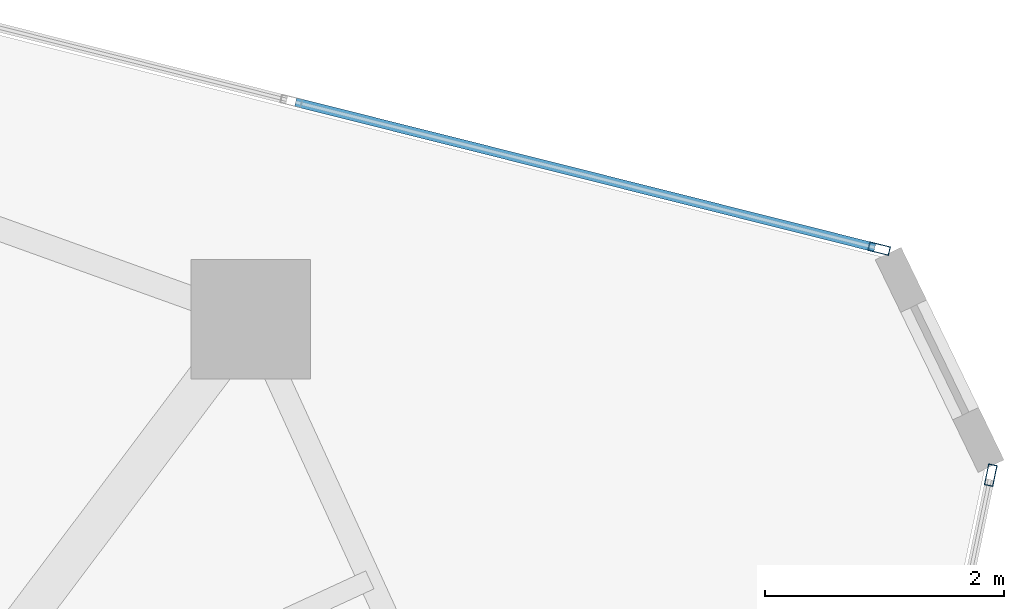
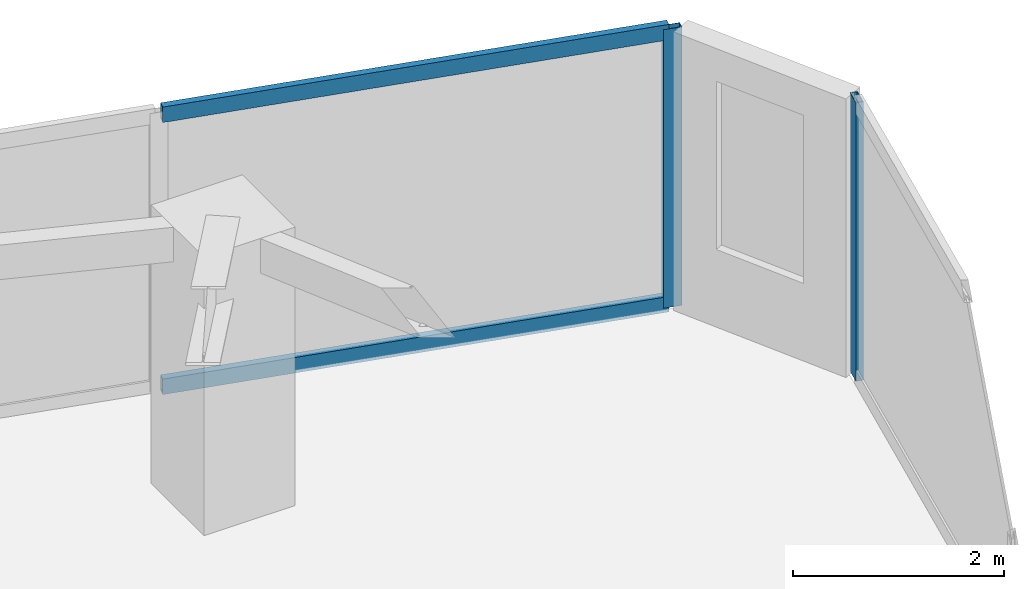
# One storey, part 14 of 20: 4 members, 2 elements without a shape of their own.
"""IFC4 building model written with IfcOpenShell, lengths in metres."""

import ifcopenshell
import ifcopenshell.guid

model = None  # the IFC model being written
_history = None  # IfcOwnerHistory: only IFC2X3 demands one
_inside = {}  # id of a spatial element -> (the spatial element, [elements in it])
_under = {}  # id of a project, library or spatial element -> (it, [spatial elements below it])
_declared = {}  # id of a project -> (the project, [libraries it declares])
_typed = {}  # id of a type object -> (the type object, [elements of that type])
_made_of = {}  # id of a material, layer set ... -> (it, [elements and type objects made of it])


def new_model(schema):
    """Start an empty IFC model of exactly this schema.

    Asked for "IFC4X3", IfcOpenShell would pick the latest addendum, in which some entities
    have other attributes; the version numbers below select the first issue.
    IFC2X3 requires an IfcOwnerHistory on every rooted entity: one is made here for all.
    """
    global model, _history
    if schema == "IFC4X3":
        model = ifcopenshell.file(schema_version=(4, 3, 0, 0))
    else:
        model = ifcopenshell.file(schema=schema)
    _inside.clear()
    _under.clear()
    _declared.clear()
    _typed.clear()
    _made_of.clear()
    _history = None
    if model.schema == "IFC2X3":
        org = make("IfcOrganization", Name="unknown")
        user = make(
            "IfcPersonAndOrganization",
            ThePerson=make("IfcPerson", FamilyName="unknown"),
            TheOrganization=org,
        )
        app = make(
            "IfcApplication",
            ApplicationDeveloper=org,
            Version="unknown",
            ApplicationFullName="unknown",
            ApplicationIdentifier="unknown",
        )
        _history = make(
            "IfcOwnerHistory",
            OwningUser=user,
            OwningApplication=app,
            ChangeAction="ADDED",
            CreationDate=0,
        )
    return model


def make(cls, **values):
    """One entity of the class cls with the attributes given. An attribute that is None is left unset."""
    return model.create_entity(
        cls, **{name: value for name, value in values.items() if value is not None}
    )


def rooted(cls, **values):
    """An entity with a GlobalId (a new one), such as an element, a storey or a relation."""
    return make(cls, GlobalId=ifcopenshell.guid.new(), OwnerHistory=_history, **values)


def si_unit(unit_type, name, prefix=None):
    """IfcSIUnit, for example si_unit("LENGTHUNIT", "METRE", prefix="MILLI")."""
    return make("IfcSIUnit", UnitType=unit_type, Prefix=prefix, Name=name)


def assignment(units):
    """IfcUnitAssignment: the units of a project."""
    return None if units is None else make("IfcUnitAssignment", Units=units)


def point(xyz):
    """IfcCartesianPoint."""
    return None if xyz is None else make("IfcCartesianPoint", Coordinates=xyz)


def direction(xyz):
    """IfcDirection."""
    return None if xyz is None else make("IfcDirection", DirectionRatios=xyz)


def frame(location, z_axis=None, x_axis=None):
    """IfcAxis2Placement3D, a coordinate frame: its origin and axes. An axis left out is left unset."""
    return make(
        "IfcAxis2Placement3D",
        Location=point(location),
        Axis=direction(z_axis),
        RefDirection=direction(x_axis),
    )


def frame_2d(location, x_axis=None):
    """IfcAxis2Placement2D, a coordinate frame in the plane: its origin and x axis."""
    return make(
        "IfcAxis2Placement2D", Location=point(location), RefDirection=direction(x_axis)
    )


def origin():
    """The frame at (0, 0, 0) with its axes left unset."""
    return frame((0.0, 0.0, 0.0))


def origin_2d():
    """The frame at (0, 0) in the plane with its x axis left unset."""
    return frame_2d((0.0, 0.0))


def place(relative_to, where):
    """IfcLocalPlacement: puts the frame where relative to a parent placement (None: the world)."""
    return make(
        "IfcLocalPlacement", PlacementRelTo=relative_to, RelativePlacement=where
    )


def context(
    kind, dimensions, precision=None, world=None, true_north=None, identifier=None
):
    """IfcGeometricRepresentationContext, for example the 3D "Model" context."""
    return make(
        "IfcGeometricRepresentationContext",
        ContextIdentifier=identifier,
        ContextType=kind,
        CoordinateSpaceDimension=dimensions,
        Precision=precision,
        WorldCoordinateSystem=world,
        TrueNorth=true_north,
    )


def subcontext(parent, identifier, kind, view, scale=None):
    """IfcGeometricRepresentationSubContext, for example "Body" below "Model"."""
    return make(
        "IfcGeometricRepresentationSubContext",
        ContextIdentifier=identifier,
        ContextType=kind,
        ParentContext=parent,
        TargetScale=scale,
        TargetView=view,
    )


def project(units=None, contexts=None):
    """IfcProject with its units and contexts."""
    return rooted(
        "IfcProject",
        Name="project",
        RepresentationContexts=contexts,
        UnitsInContext=assignment(units),
    )


def spatial(cls, under=None, at=None, **own):
    """A site, building, storey or space (cls), placed at a placement, below another one or the project."""
    s = rooted(cls, ObjectPlacement=at, **own)
    if under is not None:
        _under.setdefault(under.id(), (under, []))[1].append(s)
    return s


def profile(cls, at=None, kind="AREA", **sizes):
    """A parametric profile (cls). Its sizes go by their IFC names, for example OverallWidth=200.0."""
    return make(cls, ProfileType=kind, Position=at, **sizes)


def hollow_rectangle(**sizes):
    """IfcRectangleHollowProfileDef."""
    return profile("IfcRectangleHollowProfileDef", **sizes)


def extrude(swept, where, along, depth):
    """IfcExtrudedAreaSolid: the profile swept, set in the frame where, extruded along a direction by depth."""
    return make(
        "IfcExtrudedAreaSolid",
        SweptArea=swept,
        Position=where,
        ExtrudedDirection=direction(along),
        Depth=depth,
    )


def shape(context_of_items, identifier, shape_type, items):
    """IfcShapeRepresentation: the items that make up one representation, for example the "Body"."""
    return make(
        "IfcShapeRepresentation",
        ContextOfItems=context_of_items,
        RepresentationIdentifier=identifier,
        RepresentationType=shape_type,
        Items=items,
    )


def source(mapping_origin, context_of_items, identifier, shape_type, items):
    """IfcRepresentationMap: a shape defined once, which mapped items show again and again."""
    return make(
        "IfcRepresentationMap",
        MappingOrigin=mapping_origin,
        MappedRepresentation=shape(context_of_items, identifier, shape_type, items),
    )


def transform(
    local_origin,
    x_axis=None,
    y_axis=None,
    z_axis=None,
    scale=None,
    scale2=None,
    scale3=None,
    uniform=True,
):
    """IfcCartesianTransformationOperator3D, or its non-uniform kind. x_axis, y_axis, z_axis: its Axis1, 2, 3."""
    if uniform:
        return make(
            "IfcCartesianTransformationOperator3D",
            Axis1=direction(x_axis),
            Axis2=direction(y_axis),
            LocalOrigin=point(local_origin),
            Scale=scale,
            Axis3=direction(z_axis),
        )
    return make(
        "IfcCartesianTransformationOperator3DnonUniform",
        Axis1=direction(x_axis),
        Axis2=direction(y_axis),
        LocalOrigin=point(local_origin),
        Scale=scale,
        Axis3=direction(z_axis),
        Scale2=scale2,
        Scale3=scale3,
    )


def mapped(mapping_source, mapping_target):
    """IfcMappedItem: shows the shape of a source again, moved by a transform."""
    return make(
        "IfcMappedItem", MappingSource=mapping_source, MappingTarget=mapping_target
    )


def material(Name=None, Category=None):
    """IfcMaterial."""
    return make("IfcMaterial", Name=Name, Category=Category)


def layer(
    of_material, thickness, ventilated=None, Name=None, Category=None, Priority=None
):
    """IfcMaterialLayer: one layer of a wall or slab, of a material (None: an air gap)."""
    return make(
        "IfcMaterialLayer",
        Material=of_material,
        LayerThickness=thickness,
        IsVentilated=ventilated,
        Name=Name,
        Category=Category,
        Priority=Priority,
    )


def layer_set(layers, Name=None):
    """IfcMaterialLayerSet."""
    return make("IfcMaterialLayerSet", MaterialLayers=layers, LayerSetName=Name)


def material_profile(
    of_material, cross_section, Name=None, Category=None, Priority=None
):
    """IfcMaterialProfile: a cross section and its material."""
    return make(
        "IfcMaterialProfile",
        Name=Name,
        Material=of_material,
        Profile=cross_section,
        Priority=Priority,
        Category=Category,
    )


def profile_set(profiles, Name=None, composite=None):
    """IfcMaterialProfileSet."""
    return make(
        "IfcMaterialProfileSet",
        Name=Name,
        MaterialProfiles=profiles,
        CompositeProfile=composite,
    )


def made_of(thing, what):
    """Note that an element or type object is made of a material, layer set ...; save() writes the relation."""
    if what is not None:
        _made_of.setdefault(what.id(), (what, []))[1].append(thing)
    return thing


def type_object(cls, material=None, **own):
    """A type object (cls), such as IfcWallType, which elements share."""
    return made_of(rooted(cls, **own), material)


def type_shapes(of_type, sources):
    """Give a type object the sources (RepresentationMaps) that its elements show as mapped items."""
    of_type.RepresentationMaps = sources


def element(
    cls,
    number,
    at=None,
    inside=None,
    cuts=None,
    type_object=None,
    material=None,
    context=None,
    identifier="Body",
    shape_type=None,
    held_by="IfcProductDefinitionShape",
    body=None,
    shapes=None,
    **own,
):
    """One element of the class cls, such as IfcWall. Its Tag is "e" and its number.

    at: its placement. inside: the storey or other place that contains it. cuts: it is an
    opening in that element (IfcRelVoidsElement). A single representation is given by context,
    identifier, shape_type and body (its items); several are given by shapes. held_by: the class
    of the entity that holds the representations. save() writes the other relations.
    """
    e = rooted(cls, Tag="e%d" % number, ObjectPlacement=at, **own)
    if body is not None:
        shapes = [shape(context, identifier, shape_type, body)]
    if shapes is not None:
        e.Representation = make(held_by, Representations=shapes)
    if inside is not None:
        _inside.setdefault(inside.id(), (inside, []))[1].append(e)
    if cuts is not None:
        rooted(
            "IfcRelVoidsElement", RelatingBuildingElement=cuts, RelatedOpeningElement=e
        )
    if type_object is not None:
        _typed.setdefault(type_object.id(), (type_object, []))[1].append(e)
    return made_of(e, material)


def aggregate(whole, parts):
    """IfcRelAggregates: a whole, such as a stair, and the parts it consists of."""
    return rooted("IfcRelAggregates", RelatingObject=whole, RelatedObjects=parts)


def save(model, path):
    """Write the relations noted so far, then the file.

    IfcRelAggregates (storeys below a building ...), IfcRelContainedInSpatialStructure (elements
    in a storey), IfcRelDefinesByType, IfcRelAssociatesMaterial and IfcRelDeclares: one each for
    every whole, place, type object, material and project.
    """
    for whole, parts in _under.values():
        aggregate(whole, parts)
    for where, things in _inside.values():
        rooted(
            "IfcRelContainedInSpatialStructure",
            RelatedElements=things,
            RelatingStructure=where,
        )
    for kind, things in _typed.values():
        rooted("IfcRelDefinesByType", RelatedObjects=things, RelatingType=kind)
    for what, things in _made_of.values():
        rooted("IfcRelAssociatesMaterial", RelatedObjects=things, RelatingMaterial=what)
    for by, libraries in _declared.values():
        rooted("IfcRelDeclares", RelatingContext=by, RelatedDefinitions=libraries)
    model.write(path)


model = new_model("IFC4")

# Units and contexts
model_context = context("Model", 3, precision=1e-05, world=origin(), true_north=direction((0.0, 1.0)))
body_context = subcontext(model_context, "Body", "Model", "MODEL_VIEW")
ifc_project = project(units=[si_unit("LENGTHUNIT", "METRE"), si_unit("AREAUNIT", "SQUARE_METRE"), si_unit("VOLUMEUNIT", "CUBIC_METRE"), si_unit("PLANEANGLEUNIT", "RADIAN"), si_unit("MASSUNIT", "GRAM", prefix="KILO")], contexts=[model_context])

# Site, building, storey
site_placement = place(None, origin())
site = spatial("IfcSite", under=ifc_project, at=site_placement, CompositionType="ELEMENT")
building_placement = place(site_placement, origin())
building = spatial("IfcBuilding", under=site, at=building_placement, Name="Talar Marvaseh", CompositionType="ELEMENT")
storey_placement = place(building_placement, frame((0.0, 0.0, 191.5)))
storey = spatial("IfcBuildingStorey", under=building, at=storey_placement, Name="L50", CompositionType="ELEMENT", Elevation=191.5)

# Curtain wall, member
ifc_material = material(Name="Architectural Aluminium", Category="aluminium")
ifc_layer = layer(ifc_material, 0.18994140625)
ifc_layer_set = layer_set([ifc_layer], Name="Architectural Aluminium")
curtain_wall_type = type_object("IfcCurtainWallType", Name="Unitised Solar Atelier Curtain Wall Z3", PredefinedType="NOTDEFINED", material=ifc_layer_set)
curtain_wall_1_placement = place(storey_placement, origin())
curtain_wall_1 = element("IfcCurtainWall", 1, at=curtain_wall_1_placement, inside=storey, type_object=curtain_wall_type, Name="L50 Unitised Solar Atelier Curtain Wall Z3", PredefinedType="NOTDEFINED")
ifc_material_profile_1 = material_profile(ifc_material, hollow_rectangle(XDim=0.074951171875, YDim=0.179931640625, WallThickness=0.0048828125, at=origin_2d()), Name="RHS180x75x5")
ifc_profile_set_1 = profile_set([ifc_material_profile_1], Name="Architectural Aluminium")
member_type_1 = type_object("IfcMemberType", Name="Unitised Curtain Wall Standard Mullion RHS180x75x5", PredefinedType="MULLION", material=ifc_profile_set_1)
shared_shape_1 = source(origin(), body_context, "Body", "SweptSolid", [
    extrude(hollow_rectangle(XDim=0.074951171875, YDim=0.179931640625, WallThickness=0.0048828125, at=origin_2d()), origin(), (0.0, 0.0, 1.0), 3.22998046875),
])
type_shapes(member_type_1, [shared_shape_1])
member_1_placement = place(storey_placement, frame((41.603515625, 41.5341796875, 0.0), z_axis=(0.0, 0.0, 1.0), x_axis=(0.243549441427, 0.969888483064, 0.0)))
member_1 = element("IfcMember", 2, at=member_1_placement, type_object=member_type_1, Name="CW-Z3 mullion 4", PredefinedType="MULLION", context=body_context, shape_type="MappedRepresentation", body=[
    mapped(shared_shape_1, transform((0.0, 0.0, 0.0), x_axis=(1.0, 0.0, 0.0), y_axis=(0.0, 1.0, 0.0), z_axis=(0.0, 0.0, 1.0), scale=1.0)),
])

curtain_wall_2_placement = place(storey_placement, origin())
curtain_wall_2 = element("IfcCurtainWall", 3, at=curtain_wall_2_placement, inside=storey, type_object=curtain_wall_type, Name="L50 Unitised Solar Atelier Curtain Wall Z3", PredefinedType="NOTDEFINED")
member_2_placement = place(storey_placement, frame((42.537841796875, 39.6376953125, 0.0), z_axis=(0.0, 0.0, 1.0), x_axis=(0.979013963541, -0.203793177492, 0.0)))
member_2 = element("IfcMember", 4, at=member_2_placement, type_object=member_type_1, Name="CW-Z3 mullion 1", PredefinedType="MULLION", context=body_context, shape_type="MappedRepresentation", body=[
    mapped(shared_shape_1, transform((0.0, 0.0, 0.0), x_axis=(1.0, 0.0, 0.0), y_axis=(0.0, 1.0, 0.0), z_axis=(0.0, 0.0, 1.0), scale=1.0)),
])
aggregate(curtain_wall_2, [member_2])

# Member
ifc_material_profile_2 = material_profile(ifc_material, hollow_rectangle(XDim=0.074951171875, YDim=0.179931640625, WallThickness=0.0048828125, at=origin_2d()), Name="RHS180x75x5")
ifc_profile_set_2 = profile_set([ifc_material_profile_2], Name="Architectural Aluminium")
member_type_2 = type_object("IfcMemberType", Name="Unitised Curtain Wall Transom RHS180x75x5", PredefinedType="USERDEFINED", material=ifc_profile_set_2)
shared_shape_2 = source(origin(), body_context, "Body", "SweptSolid", [
    extrude(hollow_rectangle(XDim=0.074951171875, YDim=0.179931640625, WallThickness=0.0048828125, at=origin_2d()), origin(), (0.0, 0.0, 1.0), 5.000732421875),
])
type_shapes(member_type_2, [shared_shape_2])
member_3_placement = place(storey_placement, frame((36.717041015625, 42.76123046875, 0.03759765625), z_axis=(0.969895015969, -0.243523423923, 0.0), x_axis=(0.243523423923, 0.969895015969, 0.0)))
member_3 = element("IfcMember", 5, at=member_3_placement, type_object=member_type_2, Name="CW-Z3 transom 3.1", ObjectType="TRANSOM", PredefinedType="USERDEFINED", context=body_context, shape_type="MappedRepresentation", body=[
    mapped(shared_shape_2, transform((0.0, 0.0, 0.0), x_axis=(1.0, 0.0, 0.0), y_axis=(0.0, 1.0, 0.0), z_axis=(0.0, 0.0, 1.0), scale=1.0)),
])

member_4_placement = place(storey_placement, frame((36.717041015625, 42.76123046875, 3.1923828125), z_axis=(0.969895015969, -0.243523423923, 0.0), x_axis=(0.243523423923, 0.969895015969, 0.0)))
member_4 = element("IfcMember", 6, at=member_4_placement, type_object=member_type_2, Name="CW-Z3 transom 3.2", ObjectType="TRANSOM", PredefinedType="USERDEFINED", context=body_context, shape_type="MappedRepresentation", body=[
    mapped(shared_shape_2, transform((0.0, 0.0, 0.0), x_axis=(1.0, 0.0, 0.0), y_axis=(0.0, 1.0, 0.0), z_axis=(0.0, 0.0, 1.0), scale=1.0)),
])

aggregate(curtain_wall_1, [member_1, member_3, member_4])

save(model, "model.ifc")
